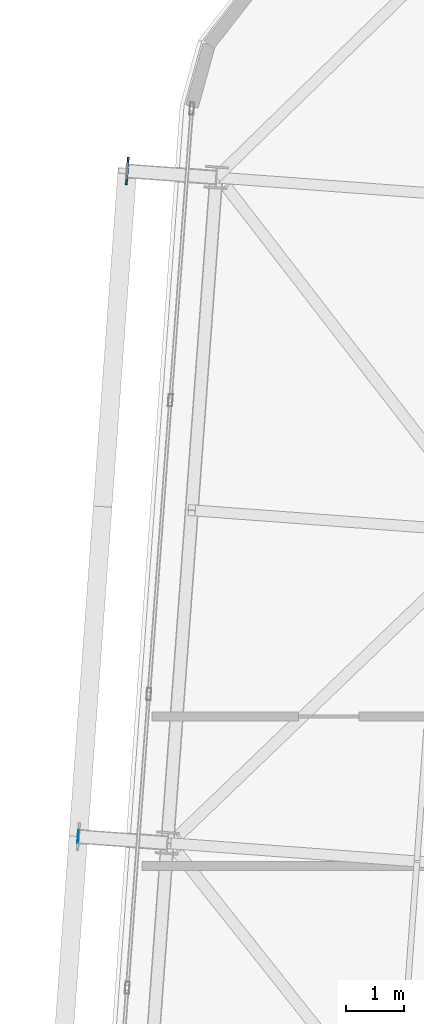
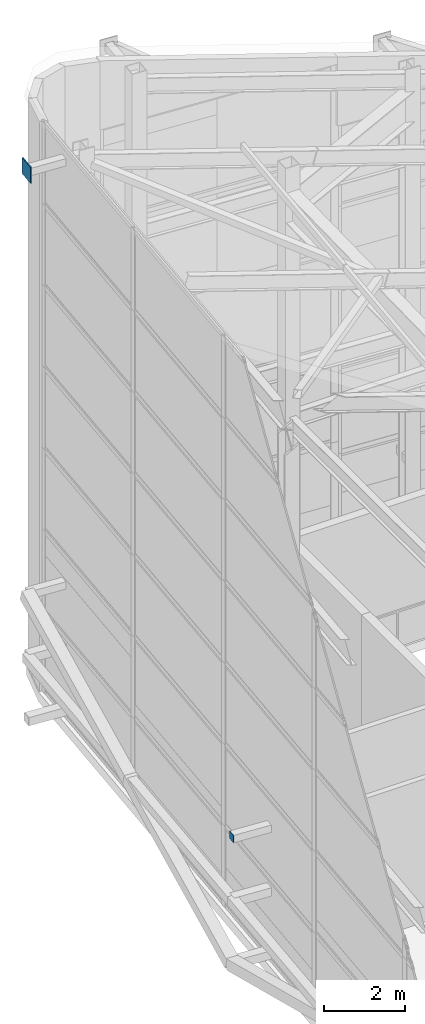
# One storey, part 42 of 56: 2 plates.
"""IFC4 building model written with IfcOpenShell, lengths in metres."""

from ifc_helpers import new_model, si_unit, direction, frame, origin, origin_2d, place, context, subcontext, project, spatial, rectangle, extrude, source, transform, mapped, material, layer, layer_set, type_object, element, save


model = new_model("IFC4")

# Units and contexts
model_context = context("Model", 3, precision=1e-05, world=origin(), true_north=direction((0.0, 1.0)))
body_context = subcontext(model_context, "Body", "Model", "MODEL_VIEW")
ifc_project = project(units=[si_unit("LENGTHUNIT", "METRE"), si_unit("AREAUNIT", "SQUARE_METRE"), si_unit("VOLUMEUNIT", "CUBIC_METRE"), si_unit("PLANEANGLEUNIT", "RADIAN"), si_unit("MASSUNIT", "GRAM", prefix="KILO")], contexts=[model_context])

# Site, building, storey
site_placement = place(None, origin())
site = spatial("IfcSite", under=ifc_project, at=site_placement, CompositionType="ELEMENT")
building_placement = place(site_placement, origin())
building = spatial("IfcBuilding", under=site, at=building_placement, Name="Taldren Reach Tower", CompositionType="ELEMENT")
storey_placement = place(building_placement, frame((0.0, 0.0, 253.050048828125)))
storey = spatial("IfcBuildingStorey", under=building, at=storey_placement, Name="L77", CompositionType="ELEMENT", Elevation=253.050048828125)

# Plates
ifc_material = material(Name="Steel Gr 450 (C450L0)", Category="steel")
ifc_layer_1 = layer(ifc_material, 0.031982421875)
ifc_layer_set_1 = layer_set([ifc_layer_1], Name="Steel Gr 450 (C450L0)")
plate_type_1 = type_object("IfcPlateType", Name="PL-GUSSET-32", PredefinedType="SHEET", material=ifc_layer_set_1)
shared_shape_1 = source(origin(), body_context, "Body", "SweptSolid", [
    extrude(rectangle(XDim=0.47998046875, YDim=0.031982421875, at=origin_2d()), origin(), (0.0, 0.0, 1.0), 0.47998046875),
])
plate_1_placement = place(storey_placement, frame((12.412353515625, 33.482666015625, 16.4736328125), z_axis=(0.0, 0.0, 1.0), x_axis=(0.073238197128, 0.997314477224, 0.0)))
element("IfcPlate", 1, at=plate_1_placement, inside=storey, type_object=plate_type_1, Name="Exoskeleton star-node gusset plate B5-W3 L77", PredefinedType="SHEET", context=body_context, shape_type="MappedRepresentation", body=[
    mapped(shared_shape_1, transform((0.0, 0.0, 0.0), scale=1.0)),
])
ifc_layer_2 = layer(ifc_material, 0.011962890625)
ifc_layer_set_2 = layer_set([ifc_layer_2], Name="Steel Gr 450 (C450L0)")
plate_type_2 = type_object("IfcPlateType", Name="PL-CAP-220", PredefinedType="SHEET", material=ifc_layer_set_2)
shared_shape_2 = source(origin(), body_context, "Body", "SweptSolid", [
    extrude(rectangle(XDim=0.011962890625, YDim=0.219970703125, at=origin_2d()), origin(), (0.0, 0.0, 1.0), 0.219970703125),
])
plate_2_placement = place(storey_placement, frame((11.556884765625, 21.914306640625, 3.89013671875), z_axis=(0.0, 0.0, 1.0), x_axis=(0.997314477224, -0.073238197128, 0.0)))
element("IfcPlate", 2, at=plate_2_placement, inside=storey, type_object=plate_type_2, Name="Tie strut end cap plate B5-W2 L77", PredefinedType="SHEET", context=body_context, shape_type="MappedRepresentation", body=[
    mapped(shared_shape_2, transform((0.0, 0.0, 0.0), scale=1.0)),
])

save(model, "model.ifc")
